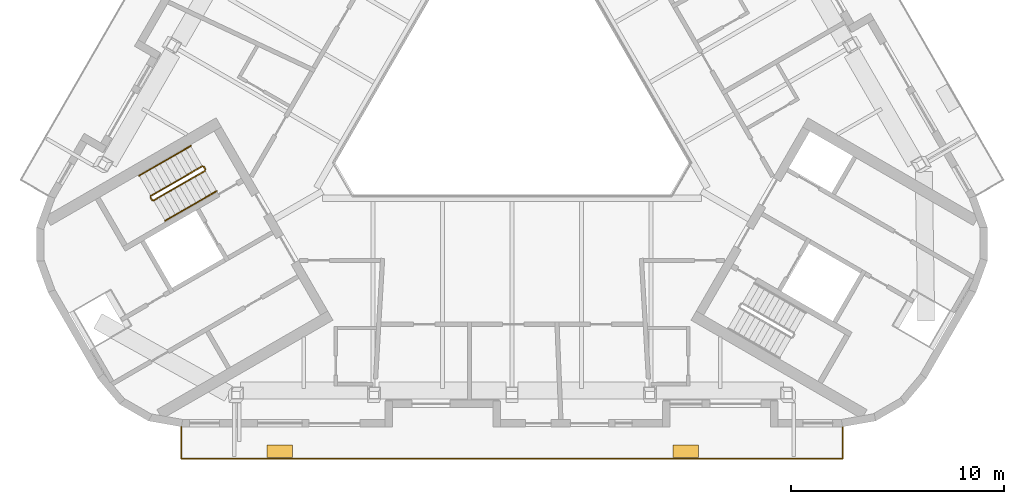
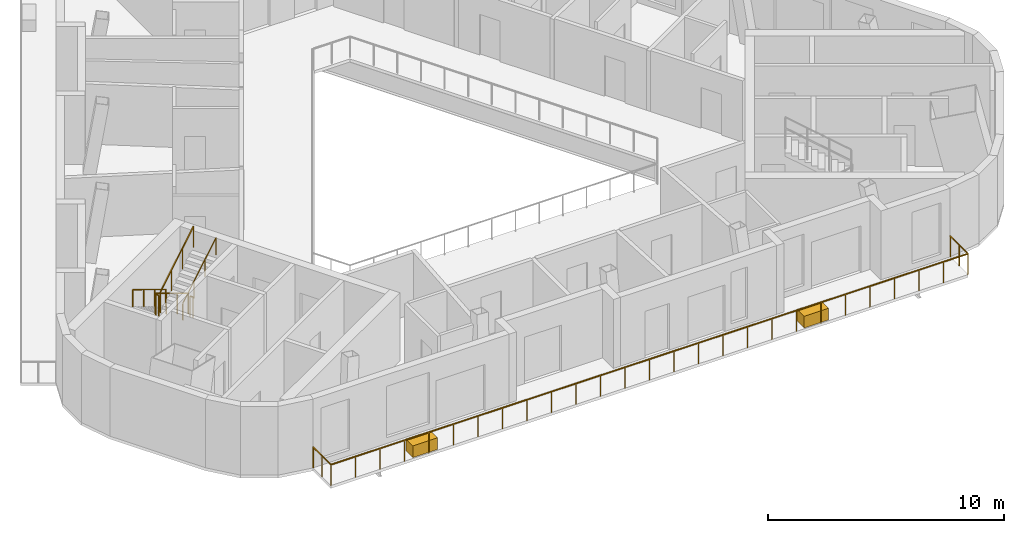
# One storey, part 8 of 11: 7 railings, 2 coverings.
"""IFC4 building model written with IfcOpenShell, lengths in metres."""

from ifc_helpers import new_model, si_unit, direction, frame, origin, origin_2d, place, context, subcontext, project, spatial, rectangle, circle, extrude, material, type_object, element, save


model = new_model("IFC4")

# Units and contexts
model_context = context("Model", 3, precision=1e-05, world=origin(), true_north=direction((0.0, 1.0)))
body_context = subcontext(model_context, "Body", "Model", "MODEL_VIEW")
ifc_project = project(units=[si_unit("LENGTHUNIT", "METRE"), si_unit("AREAUNIT", "SQUARE_METRE"), si_unit("VOLUMEUNIT", "CUBIC_METRE"), si_unit("PLANEANGLEUNIT", "RADIAN"), si_unit("MASSUNIT", "GRAM", prefix="KILO")], contexts=[model_context])

# Site, building, storey
site_placement = place(None, origin())
site = spatial("IfcSite", under=ifc_project, at=site_placement, CompositionType="ELEMENT")
building_placement = place(site_placement, origin())
building = spatial("IfcBuilding", under=site, at=building_placement, Name="Apuvela Tower Hotel", CompositionType="ELEMENT")
storey_placement = place(building_placement, frame((0.0, 0.0, 320.699951171875)))
storey = spatial("IfcBuildingStorey", under=building, at=storey_placement, Name="L80", CompositionType="ELEMENT", Elevation=320.699951171875)

# Railings
ifc_material_1 = material(Name="Steel S275 balustrade", Category="steel")
railing_type_1 = type_object("IfcRailingType", Name="COR-GUARD-1100", PredefinedType="GUARDRAIL", material=ifc_material_1)
railing_1_placement = place(storey_placement, frame((-14.569091796875, -3.9658203125, 0.168212890625)))
element("IfcRailing", 1, at=railing_1_placement, inside=storey, type_object=railing_type_1, Name="L80 ST2 stair guard 1", PredefinedType="GUARDRAIL", context=body_context, shape_type="SweptSolid", body=[
    extrude(rectangle(XDim=0.048095703125, YDim=0.048095703125, at=origin_2d()), frame((0.0, 0.0, 1.076171875), z_axis=(-0.742390482028, -0.42860119049, 0.514934356695), x_axis=(0.49998411664, -0.866034573852, 0.0)), (0.0, 0.0, 1.0), 3.26611328125),
    extrude(rectangle(XDim=0.0419921875, YDim=0.0419921875, at=origin_2d()), origin(), (0.0, 0.0, 1.0), 1.052001953125),
    extrude(rectangle(XDim=0.0419921875, YDim=0.0419921875, at=origin_2d()), frame((-0.808349609375, -0.466552734375, 0.560546875)), (0.0, 0.0, 1.0), 1.052001953125),
    extrude(rectangle(XDim=0.0419921875, YDim=0.0419921875, at=origin_2d()), frame((-1.616455078125, -0.933349609375, 1.121337890625)), (0.0, 0.0, 1.0), 1.052001953125),
    extrude(rectangle(XDim=0.0419921875, YDim=0.0419921875, at=origin_2d()), frame((-2.4248046875, -1.39990234375, 1.681884765625)), (0.0, 0.0, 1.0), 1.052001953125),
])
railing_2_placement = place(storey_placement, frame((-17.01220703125, -5.43408203125, 1.85009765625)))
element("IfcRailing", 2, at=railing_2_placement, inside=storey, type_object=railing_type_1, Name="L80 ST2 stair guard 2", PredefinedType="GUARDRAIL", context=body_context, shape_type="SweptSolid", body=[
    extrude(rectangle(XDim=0.048095703125, YDim=0.048095703125, at=origin_2d()), frame((0.0, 0.0, 1.076171875), z_axis=(0.499816412211, -0.866131372301, 0.0), x_axis=(0.866131372301, 0.499816412211, 0.0)), (0.0, 0.0, 1.0), 0.14990234375),
    extrude(rectangle(XDim=0.0419921875, YDim=0.0419921875, at=origin_2d()), origin(), (0.0, 0.0, 1.0), 1.052001953125),
    extrude(rectangle(XDim=0.0419921875, YDim=0.0419921875, at=origin_2d()), frame((0.074951171875, -0.1298828125, 0.0)), (0.0, 0.0, 1.0), 1.052001953125),
])
railing_3_placement = place(storey_placement, frame((-16.868896484375, -5.582275390625, 2.018310546875)))
element("IfcRailing", 3, at=railing_3_placement, inside=storey, type_object=railing_type_1, Name="L80 ST2 stair guard 3", PredefinedType="GUARDRAIL", context=body_context, shape_type="SweptSolid", body=[
    extrude(rectangle(XDim=0.048095703125, YDim=0.048095703125, at=origin_2d()), frame((0.0, 0.0, 1.076171875), z_axis=(0.74241905619, 0.428617687091, 0.514879426), x_axis=(-0.49998411664, 0.866034573852, 0.0)), (0.0, 0.0, 1.0), 3.26611328125),
    extrude(rectangle(XDim=0.0419921875, YDim=0.0419921875, at=origin_2d()), origin(), (0.0, 0.0, 1.0), 1.052001953125),
    extrude(rectangle(XDim=0.0419921875, YDim=0.0419921875, at=origin_2d()), frame((0.808349609375, 0.466552734375, 0.560546875)), (0.0, 0.0, 1.0), 1.052001953125),
    extrude(rectangle(XDim=0.0419921875, YDim=0.0419921875, at=origin_2d()), frame((1.616455078125, 0.933349609375, 1.12109375)), (0.0, 0.0, 1.0), 1.052001953125),
    extrude(rectangle(XDim=0.0419921875, YDim=0.0419921875, at=origin_2d()), frame((2.4248046875, 1.39990234375, 1.681640625)), (0.0, 0.0, 1.0), 1.052001953125),
])
railing_4_placement = place(storey_placement, frame((-14.500732421875, -3.984130859375, 0.0)))
element("IfcRailing", 4, at=railing_4_placement, inside=storey, type_object=railing_type_1, Name="L80 ST2 stair guard 4", PredefinedType="GUARDRAIL", context=body_context, shape_type="SweptSolid", body=[
    extrude(rectangle(XDim=0.048095703125, YDim=0.048095703125, at=origin_2d()), frame((0.0, 0.0, 1.076171875), z_axis=(0.499816412211, -0.866131372301, 0.0), x_axis=(0.866131372301, 0.499816412211, 0.0)), (0.0, 0.0, 1.0), 0.14990234375),
    extrude(rectangle(XDim=0.0419921875, YDim=0.0419921875, at=origin_2d()), origin(), (0.0, 0.0, 1.0), 1.052001953125),
    extrude(rectangle(XDim=0.0419921875, YDim=0.0419921875, at=origin_2d()), frame((0.074951171875, -0.1298828125, 0.0)), (0.0, 0.0, 1.0), 1.052001953125),
])
ifc_material_2 = material(Name="Stainless steel 316 handrail", Category="steel")
railing_type_2 = type_object("IfcRailingType", Name="COR-HANDRAIL-900", PredefinedType="HANDRAIL", material=ifc_material_2)
railing_5_placement = place(storey_placement, frame((-15.118896484375, -3.01318359375, 0.168212890625)))
element("IfcRailing", 5, at=railing_5_placement, inside=storey, type_object=railing_type_2, Name="L80 ST2 stair handrail 1", PredefinedType="HANDRAIL", context=body_context, shape_type="SweptSolid", body=[
    extrude(circle(Radius=0.02392578125, at=origin_2d()), frame((0.0, 0.0, 0.8759765625), z_axis=(-0.742424030051, -0.428577407461, 0.514905783049), x_axis=(0.49994636267, -0.866056369097, 0.0)), (0.0, 0.0, 1.0), 3.266357421875),
    extrude(rectangle(XDim=0.0419921875, YDim=0.0419921875, at=origin_2d()), origin(), (0.0, 0.0, 1.0), 0.851806640625),
    extrude(rectangle(XDim=0.0419921875, YDim=0.0419921875, at=origin_2d()), frame((-0.808349609375, -0.466552734375, 0.560546875)), (0.0, 0.0, 1.0), 0.851806640625),
    extrude(rectangle(XDim=0.0419921875, YDim=0.0419921875, at=origin_2d()), frame((-1.61669921875, -0.933349609375, 1.121337890625)), (0.0, 0.0, 1.0), 0.851806640625),
    extrude(rectangle(XDim=0.0419921875, YDim=0.0419921875, at=origin_2d()), frame((-2.425048828125, -1.39990234375, 1.681884765625)), (0.0, 0.0, 1.0), 0.851806640625),
])
railing_6_placement = place(storey_placement, frame((-16.31884765625, -6.534912109375, 2.018310546875)))
element("IfcRailing", 6, at=railing_6_placement, inside=storey, type_object=railing_type_2, Name="L80 ST2 stair handrail 2", PredefinedType="HANDRAIL", context=body_context, shape_type="SweptSolid", body=[
    extrude(circle(Radius=0.02392578125, at=origin_2d()), frame((0.0, 0.0, 0.8759765625), z_axis=(0.74241905619, 0.428617687091, 0.514879426), x_axis=(-0.49998411664, 0.866034573852, 0.0)), (0.0, 0.0, 1.0), 3.26611328125),
    extrude(rectangle(XDim=0.0419921875, YDim=0.0419921875, at=origin_2d()), origin(), (0.0, 0.0, 1.0), 0.851806640625),
    extrude(rectangle(XDim=0.0419921875, YDim=0.0419921875, at=origin_2d()), frame((0.808349609375, 0.466552734375, 0.560546875)), (0.0, 0.0, 1.0), 0.851806640625),
    extrude(rectangle(XDim=0.0419921875, YDim=0.0419921875, at=origin_2d()), frame((1.616455078125, 0.933349609375, 1.12109375)), (0.0, 0.0, 1.0), 0.851806640625),
    extrude(rectangle(XDim=0.0419921875, YDim=0.0419921875, at=origin_2d()), frame((2.4248046875, 1.39990234375, 1.681640625)), (0.0, 0.0, 1.0), 0.851806640625),
])
ifc_material_3 = material(Name="Stainless steel 316 rail with laminated glass infill", Category="steel")
railing_type_3 = type_object("IfcRailingType", Name="ENV-GUARD-1100", PredefinedType="GUARDRAIL", material=ifc_material_3)
railing_7_placement = place(storey_placement, frame((-15.554443359375, -16.2275390625, 0.0)))
element("IfcRailing", 7, at=railing_7_placement, inside=storey, type_object=railing_type_3, Name="Balcony guard S L80", PredefinedType="GUARDRAIL", context=body_context, shape_type="SweptSolid", body=[
    extrude(rectangle(XDim=0.050048828125, YDim=0.050048828125, at=origin_2d()), frame((0.0, 0.0, 1.0751953125), z_axis=(0.0, -1.0, 0.0), x_axis=(1.0, 0.0, 0.0)), (0.0, 0.0, 1.0), 1.5),
    extrude(rectangle(XDim=0.050048828125, YDim=0.050048828125, at=origin_2d()), frame((0.0, -1.5, 1.0751953125), z_axis=(1.0, 0.0, 0.0), x_axis=(0.0, 1.0, 0.0)), (0.0, 0.0, 1.0), 31.10888671875),
    extrude(rectangle(XDim=0.050048828125, YDim=0.050048828125, at=origin_2d()), frame((31.10888671875, -1.5, 1.0751953125), z_axis=(0.0, 1.0, 0.0), x_axis=(-1.0, 0.0, 0.0)), (0.0, 0.0, 1.0), 1.5),
    extrude(rectangle(XDim=0.0400390625, YDim=0.0400390625, at=origin_2d()), origin(), (0.0, 0.0, 1.0), 1.050048828125),
    extrude(rectangle(XDim=0.0400390625, YDim=0.0400390625, at=origin_2d()), frame((0.0, -0.75, 0.0)), (0.0, 0.0, 1.0), 1.050048828125),
    extrude(rectangle(XDim=0.0400390625, YDim=0.0400390625, at=origin_2d()), frame((0.0, -1.5, 0.0)), (0.0, 0.0, 1.0), 1.050048828125),
    extrude(rectangle(XDim=0.0400390625, YDim=0.0400390625, at=origin_2d()), frame((1.196533203125, -1.5, 0.0)), (0.0, 0.0, 1.0), 1.050048828125),
    extrude(rectangle(XDim=0.0400390625, YDim=0.0400390625, at=origin_2d()), frame((2.39306640625, -1.5, 0.0)), (0.0, 0.0, 1.0), 1.050048828125),
    extrude(rectangle(XDim=0.0400390625, YDim=0.0400390625, at=origin_2d()), frame((3.589599609375, -1.5, 0.0)), (0.0, 0.0, 1.0), 1.050048828125),
    extrude(rectangle(XDim=0.0400390625, YDim=0.0400390625, at=origin_2d()), frame((4.785888671875, -1.5, 0.0)), (0.0, 0.0, 1.0), 1.050048828125),
    extrude(rectangle(XDim=0.0400390625, YDim=0.0400390625, at=origin_2d()), frame((5.982421875, -1.5, 0.0)), (0.0, 0.0, 1.0), 1.050048828125),
    extrude(rectangle(XDim=0.0400390625, YDim=0.0400390625, at=origin_2d()), frame((7.178955078125, -1.5, 0.0)), (0.0, 0.0, 1.0), 1.050048828125),
    extrude(rectangle(XDim=0.0400390625, YDim=0.0400390625, at=origin_2d()), frame((8.37548828125, -1.5, 0.0)), (0.0, 0.0, 1.0), 1.050048828125),
    extrude(rectangle(XDim=0.0400390625, YDim=0.0400390625, at=origin_2d()), frame((9.572021484375, -1.5, 0.0)), (0.0, 0.0, 1.0), 1.050048828125),
    extrude(rectangle(XDim=0.0400390625, YDim=0.0400390625, at=origin_2d()), frame((10.7685546875, -1.5, 0.0)), (0.0, 0.0, 1.0), 1.050048828125),
    extrude(rectangle(XDim=0.0400390625, YDim=0.0400390625, at=origin_2d()), frame((11.96484375, -1.5, 0.0)), (0.0, 0.0, 1.0), 1.050048828125),
    extrude(rectangle(XDim=0.0400390625, YDim=0.0400390625, at=origin_2d()), frame((13.161376953125, -1.5, 0.0)), (0.0, 0.0, 1.0), 1.050048828125),
    extrude(rectangle(XDim=0.0400390625, YDim=0.0400390625, at=origin_2d()), frame((14.35791015625, -1.5, 0.0)), (0.0, 0.0, 1.0), 1.050048828125),
    extrude(rectangle(XDim=0.0400390625, YDim=0.0400390625, at=origin_2d()), frame((15.554443359375, -1.5, 0.0)), (0.0, 0.0, 1.0), 1.050048828125),
    extrude(rectangle(XDim=0.0400390625, YDim=0.0400390625, at=origin_2d()), frame((16.7509765625, -1.5, 0.0)), (0.0, 0.0, 1.0), 1.050048828125),
    extrude(rectangle(XDim=0.0400390625, YDim=0.0400390625, at=origin_2d()), frame((17.947509765625, -1.5, 0.0)), (0.0, 0.0, 1.0), 1.050048828125),
    extrude(rectangle(XDim=0.0400390625, YDim=0.0400390625, at=origin_2d()), frame((19.14404296875, -1.5, 0.0)), (0.0, 0.0, 1.0), 1.050048828125),
    extrude(rectangle(XDim=0.0400390625, YDim=0.0400390625, at=origin_2d()), frame((20.34033203125, -1.5, 0.0)), (0.0, 0.0, 1.0), 1.050048828125),
    extrude(rectangle(XDim=0.0400390625, YDim=0.0400390625, at=origin_2d()), frame((21.536865234375, -1.5, 0.0)), (0.0, 0.0, 1.0), 1.050048828125),
    extrude(rectangle(XDim=0.0400390625, YDim=0.0400390625, at=origin_2d()), frame((22.7333984375, -1.5, 0.0)), (0.0, 0.0, 1.0), 1.050048828125),
    extrude(rectangle(XDim=0.0400390625, YDim=0.0400390625, at=origin_2d()), frame((23.929931640625, -1.5, 0.0)), (0.0, 0.0, 1.0), 1.050048828125),
    extrude(rectangle(XDim=0.0400390625, YDim=0.0400390625, at=origin_2d()), frame((25.12646484375, -1.5, 0.0)), (0.0, 0.0, 1.0), 1.050048828125),
    extrude(rectangle(XDim=0.0400390625, YDim=0.0400390625, at=origin_2d()), frame((26.322998046875, -1.5, 0.0)), (0.0, 0.0, 1.0), 1.050048828125),
    extrude(rectangle(XDim=0.0400390625, YDim=0.0400390625, at=origin_2d()), frame((27.519287109375, -1.5, 0.0)), (0.0, 0.0, 1.0), 1.050048828125),
    extrude(rectangle(XDim=0.0400390625, YDim=0.0400390625, at=origin_2d()), frame((28.7158203125, -1.5, 0.0)), (0.0, 0.0, 1.0), 1.050048828125),
    extrude(rectangle(XDim=0.0400390625, YDim=0.0400390625, at=origin_2d()), frame((29.912353515625, -1.5, 0.0)), (0.0, 0.0, 1.0), 1.050048828125),
    extrude(rectangle(XDim=0.0400390625, YDim=0.0400390625, at=origin_2d()), frame((31.10888671875, -1.5, 0.0)), (0.0, 0.0, 1.0), 1.050048828125),
    extrude(rectangle(XDim=0.0400390625, YDim=0.0400390625, at=origin_2d()), frame((31.10888671875, -0.75, 0.0)), (0.0, 0.0, 1.0), 1.050048828125),
    extrude(rectangle(XDim=0.0400390625, YDim=0.0400390625, at=origin_2d()), frame((31.10888671875, 0.0, 0.0)), (0.0, 0.0, 1.0), 1.050048828125),
])

# Coverings
ifc_material_4 = material(Name="Planting substrate and soil, planted")
covering_type = type_object("IfcCoveringType", Name="ENV-PLANTER-1200x600", PredefinedType="USERDEFINED", material=ifc_material_4)
for number, where, z_axis, x_axis, name in (
    (8, (-10.92431640625, -17.37744140625, 0.0), (0.0, 0.0, 1.0), (1.0, 0.0, 0.0), "Planter S1"),
    (9, (8.18115234375, -17.37744140625, 0.0), (0.0, 0.0, 1.0), (1.0, 0.0, 0.0), "Planter S2"),
):
    element("IfcCovering", number, at=place(storey_placement, frame(where, z_axis=z_axis, x_axis=x_axis)), inside=storey, type_object=covering_type, Name=name, ObjectType="PLANTER", PredefinedType="USERDEFINED", context=body_context, shape_type="SweptSolid", body=[
        extrude(rectangle(XDim=1.199951171875, YDim=0.60009765625, at=origin_2d()), origin(), (0.0, 0.0, 1.0), 0.60009765625),
    ])

save(model, "model.ifc")
